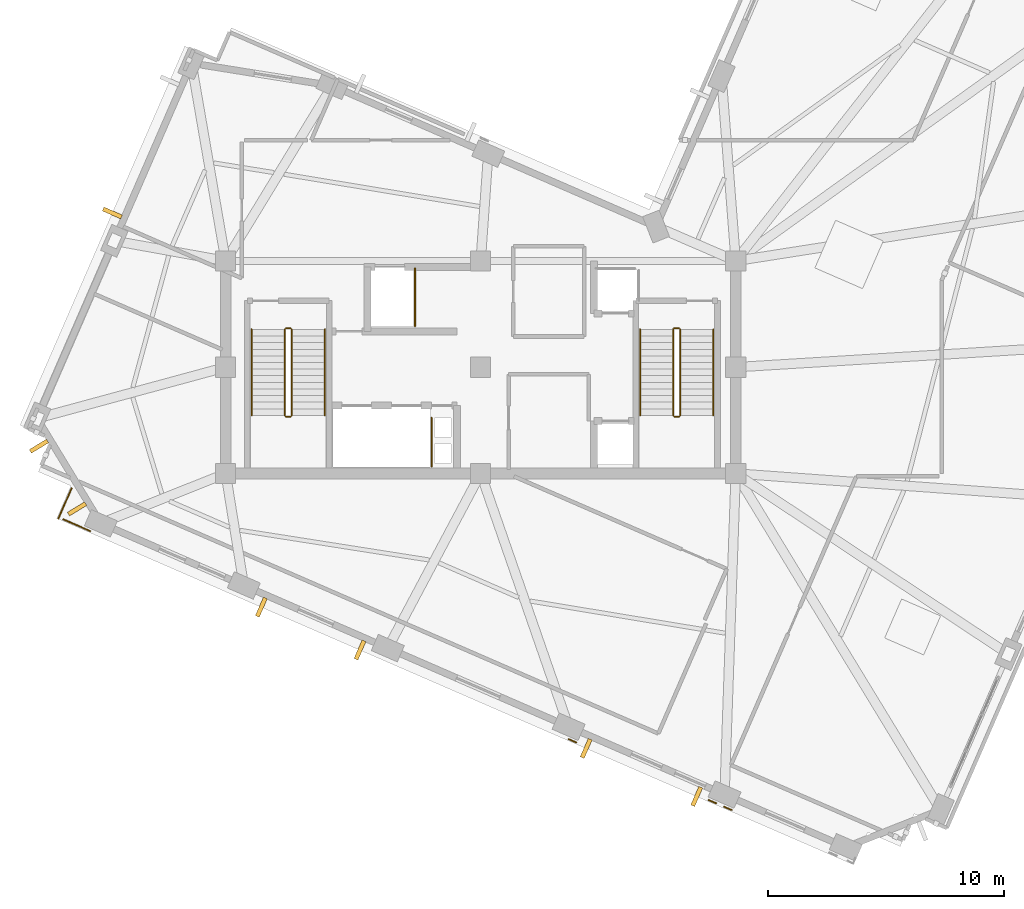
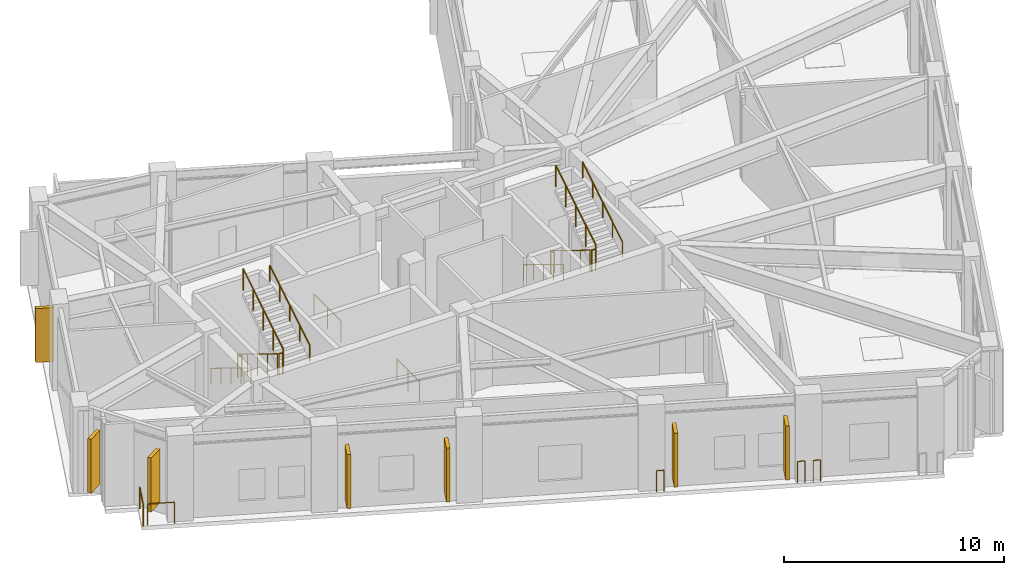
# One storey, part 8 of 11: 19 railings, 7 shading devices.
"""IFC4 building model written with IfcOpenShell, lengths in metres."""

import ifcopenshell
import ifcopenshell.guid

model = None  # the IFC model being written
_history = None  # IfcOwnerHistory: only IFC2X3 demands one
_inside = {}  # id of a spatial element -> (the spatial element, [elements in it])
_under = {}  # id of a project, library or spatial element -> (it, [spatial elements below it])
_declared = {}  # id of a project -> (the project, [libraries it declares])
_typed = {}  # id of a type object -> (the type object, [elements of that type])
_made_of = {}  # id of a material, layer set ... -> (it, [elements and type objects made of it])


def new_model(schema):
    """Start an empty IFC model of exactly this schema.

    Asked for "IFC4X3", IfcOpenShell would pick the latest addendum, in which some entities
    have other attributes; the version numbers below select the first issue.
    IFC2X3 requires an IfcOwnerHistory on every rooted entity: one is made here for all.
    """
    global model, _history
    if schema == "IFC4X3":
        model = ifcopenshell.file(schema_version=(4, 3, 0, 0))
    else:
        model = ifcopenshell.file(schema=schema)
    _inside.clear()
    _under.clear()
    _declared.clear()
    _typed.clear()
    _made_of.clear()
    _history = None
    if model.schema == "IFC2X3":
        org = make("IfcOrganization", Name="unknown")
        user = make(
            "IfcPersonAndOrganization",
            ThePerson=make("IfcPerson", FamilyName="unknown"),
            TheOrganization=org,
        )
        app = make(
            "IfcApplication",
            ApplicationDeveloper=org,
            Version="unknown",
            ApplicationFullName="unknown",
            ApplicationIdentifier="unknown",
        )
        _history = make(
            "IfcOwnerHistory",
            OwningUser=user,
            OwningApplication=app,
            ChangeAction="ADDED",
            CreationDate=0,
        )
    return model


def make(cls, **values):
    """One entity of the class cls with the attributes given. An attribute that is None is left unset."""
    return model.create_entity(
        cls, **{name: value for name, value in values.items() if value is not None}
    )


def rooted(cls, **values):
    """An entity with a GlobalId (a new one), such as an element, a storey or a relation."""
    return make(cls, GlobalId=ifcopenshell.guid.new(), OwnerHistory=_history, **values)


def si_unit(unit_type, name, prefix=None):
    """IfcSIUnit, for example si_unit("LENGTHUNIT", "METRE", prefix="MILLI")."""
    return make("IfcSIUnit", UnitType=unit_type, Prefix=prefix, Name=name)


def assignment(units):
    """IfcUnitAssignment: the units of a project."""
    return None if units is None else make("IfcUnitAssignment", Units=units)


def point(xyz):
    """IfcCartesianPoint."""
    return None if xyz is None else make("IfcCartesianPoint", Coordinates=xyz)


def direction(xyz):
    """IfcDirection."""
    return None if xyz is None else make("IfcDirection", DirectionRatios=xyz)


def frame(location, z_axis=None, x_axis=None):
    """IfcAxis2Placement3D, a coordinate frame: its origin and axes. An axis left out is left unset."""
    return make(
        "IfcAxis2Placement3D",
        Location=point(location),
        Axis=direction(z_axis),
        RefDirection=direction(x_axis),
    )


def frame_2d(location, x_axis=None):
    """IfcAxis2Placement2D, a coordinate frame in the plane: its origin and x axis."""
    return make(
        "IfcAxis2Placement2D", Location=point(location), RefDirection=direction(x_axis)
    )


def origin():
    """The frame at (0, 0, 0) with its axes left unset."""
    return frame((0.0, 0.0, 0.0))


def origin_2d():
    """The frame at (0, 0) in the plane with its x axis left unset."""
    return frame_2d((0.0, 0.0))


def place(relative_to, where):
    """IfcLocalPlacement: puts the frame where relative to a parent placement (None: the world)."""
    return make(
        "IfcLocalPlacement", PlacementRelTo=relative_to, RelativePlacement=where
    )


def context(
    kind, dimensions, precision=None, world=None, true_north=None, identifier=None
):
    """IfcGeometricRepresentationContext, for example the 3D "Model" context."""
    return make(
        "IfcGeometricRepresentationContext",
        ContextIdentifier=identifier,
        ContextType=kind,
        CoordinateSpaceDimension=dimensions,
        Precision=precision,
        WorldCoordinateSystem=world,
        TrueNorth=true_north,
    )


def subcontext(parent, identifier, kind, view, scale=None):
    """IfcGeometricRepresentationSubContext, for example "Body" below "Model"."""
    return make(
        "IfcGeometricRepresentationSubContext",
        ContextIdentifier=identifier,
        ContextType=kind,
        ParentContext=parent,
        TargetScale=scale,
        TargetView=view,
    )


def project(units=None, contexts=None):
    """IfcProject with its units and contexts."""
    return rooted(
        "IfcProject",
        Name="project",
        RepresentationContexts=contexts,
        UnitsInContext=assignment(units),
    )


def spatial(cls, under=None, at=None, **own):
    """A site, building, storey or space (cls), placed at a placement, below another one or the project."""
    s = rooted(cls, ObjectPlacement=at, **own)
    if under is not None:
        _under.setdefault(under.id(), (under, []))[1].append(s)
    return s


def profile(cls, at=None, kind="AREA", **sizes):
    """A parametric profile (cls). Its sizes go by their IFC names, for example OverallWidth=200.0."""
    return make(cls, ProfileType=kind, Position=at, **sizes)


def rectangle(**sizes):
    """IfcRectangleProfileDef."""
    return profile("IfcRectangleProfileDef", **sizes)


def circle(**sizes):
    """IfcCircleProfileDef."""
    return profile("IfcCircleProfileDef", **sizes)


def extrude(swept, where, along, depth):
    """IfcExtrudedAreaSolid: the profile swept, set in the frame where, extruded along a direction by depth."""
    return make(
        "IfcExtrudedAreaSolid",
        SweptArea=swept,
        Position=where,
        ExtrudedDirection=direction(along),
        Depth=depth,
    )


def shape(context_of_items, identifier, shape_type, items):
    """IfcShapeRepresentation: the items that make up one representation, for example the "Body"."""
    return make(
        "IfcShapeRepresentation",
        ContextOfItems=context_of_items,
        RepresentationIdentifier=identifier,
        RepresentationType=shape_type,
        Items=items,
    )


def material(Name=None, Category=None):
    """IfcMaterial."""
    return make("IfcMaterial", Name=Name, Category=Category)


def layer(
    of_material, thickness, ventilated=None, Name=None, Category=None, Priority=None
):
    """IfcMaterialLayer: one layer of a wall or slab, of a material (None: an air gap)."""
    return make(
        "IfcMaterialLayer",
        Material=of_material,
        LayerThickness=thickness,
        IsVentilated=ventilated,
        Name=Name,
        Category=Category,
        Priority=Priority,
    )


def layer_set(layers, Name=None):
    """IfcMaterialLayerSet."""
    return make("IfcMaterialLayerSet", MaterialLayers=layers, LayerSetName=Name)


def made_of(thing, what):
    """Note that an element or type object is made of a material, layer set ...; save() writes the relation."""
    if what is not None:
        _made_of.setdefault(what.id(), (what, []))[1].append(thing)
    return thing


def type_object(cls, material=None, **own):
    """A type object (cls), such as IfcWallType, which elements share."""
    return made_of(rooted(cls, **own), material)


def element(
    cls,
    number,
    at=None,
    inside=None,
    cuts=None,
    type_object=None,
    material=None,
    context=None,
    identifier="Body",
    shape_type=None,
    held_by="IfcProductDefinitionShape",
    body=None,
    shapes=None,
    **own,
):
    """One element of the class cls, such as IfcWall. Its Tag is "e" and its number.

    at: its placement. inside: the storey or other place that contains it. cuts: it is an
    opening in that element (IfcRelVoidsElement). A single representation is given by context,
    identifier, shape_type and body (its items); several are given by shapes. held_by: the class
    of the entity that holds the representations. save() writes the other relations.
    """
    e = rooted(cls, Tag="e%d" % number, ObjectPlacement=at, **own)
    if body is not None:
        shapes = [shape(context, identifier, shape_type, body)]
    if shapes is not None:
        e.Representation = make(held_by, Representations=shapes)
    if inside is not None:
        _inside.setdefault(inside.id(), (inside, []))[1].append(e)
    if cuts is not None:
        rooted(
            "IfcRelVoidsElement", RelatingBuildingElement=cuts, RelatedOpeningElement=e
        )
    if type_object is not None:
        _typed.setdefault(type_object.id(), (type_object, []))[1].append(e)
    return made_of(e, material)


def aggregate(whole, parts):
    """IfcRelAggregates: a whole, such as a stair, and the parts it consists of."""
    return rooted("IfcRelAggregates", RelatingObject=whole, RelatedObjects=parts)


def save(model, path):
    """Write the relations noted so far, then the file.

    IfcRelAggregates (storeys below a building ...), IfcRelContainedInSpatialStructure (elements
    in a storey), IfcRelDefinesByType, IfcRelAssociatesMaterial and IfcRelDeclares: one each for
    every whole, place, type object, material and project.
    """
    for whole, parts in _under.values():
        aggregate(whole, parts)
    for where, things in _inside.values():
        rooted(
            "IfcRelContainedInSpatialStructure",
            RelatedElements=things,
            RelatingStructure=where,
        )
    for kind, things in _typed.values():
        rooted("IfcRelDefinesByType", RelatedObjects=things, RelatingType=kind)
    for what, things in _made_of.values():
        rooted("IfcRelAssociatesMaterial", RelatedObjects=things, RelatingMaterial=what)
    for by, libraries in _declared.values():
        rooted("IfcRelDeclares", RelatingContext=by, RelatedDefinitions=libraries)
    model.write(path)


model = new_model("IFC4")

# Units and contexts
model_context = context("Model", 3, precision=1e-05, world=origin(), true_north=direction((0.0, 1.0)))
body_context = subcontext(model_context, "Body", "Model", "MODEL_VIEW")
ifc_project = project(units=[si_unit("LENGTHUNIT", "METRE"), si_unit("AREAUNIT", "SQUARE_METRE"), si_unit("VOLUMEUNIT", "CUBIC_METRE"), si_unit("PLANEANGLEUNIT", "RADIAN"), si_unit("MASSUNIT", "GRAM", prefix="KILO")], contexts=[model_context])

# Site, building, storey
site_placement = place(None, origin())
site = spatial("IfcSite", under=ifc_project, at=site_placement, CompositionType="ELEMENT")
building_placement = place(site_placement, origin())
building = spatial("IfcBuilding", under=site, at=building_placement, Name="Gaonmaruhae Medical Tower", CompositionType="ELEMENT")
storey_placement = place(building_placement, frame((0.0, 0.0, 328.60009765625)))
storey = spatial("IfcBuildingStorey", under=building, at=storey_placement, Name="L79", CompositionType="ELEMENT", Elevation=328.60009765625)

# Railings
ifc_material_1 = material(Name="Stainless steel 316L and laminated safety glass", Category="steel")
ifc_layer = layer(ifc_material_1, 0.080078125)
ifc_layer_set = layer_set([ifc_layer], Name="Stainless steel 316L and laminated safety glass")
railing_type_1 = type_object("IfcRailingType", Name="GD-120 Outdoor Terrace Safety Glass & Steel Balustrade", PredefinedType="BALUSTRADE", material=ifc_layer_set)
railing_1_placement = place(storey_placement, frame((7.47265625, 7.169189453125, 0.0)))
element("IfcRailing", 1, at=railing_1_placement, inside=storey, type_object=railing_type_1, Name="L79 Perimeter Slab Edge Safety Balustrade 03", PredefinedType="BALUSTRADE", context=body_context, shape_type="SweptSolid", body=[
    extrude(circle(Radius=0.02392578125, at=origin_2d()), frame((0.0, 0.0, 1.17578125), z_axis=(-0.398694070207, -0.917083986547, 0.0), x_axis=(0.917083986547, -0.398694070207, 0.0)), (0.0, 0.0, 1.0), 1.39306640625),
    extrude(circle(Radius=0.02099609375, at=origin_2d()), origin(), (0.0, 0.0, 1.0), 1.15185546875),
    extrude(circle(Radius=0.02099609375, at=origin_2d()), frame((-0.555419921875, -1.277587890625, 0.0)), (0.0, 0.0, 1.0), 1.15185546875),
])
railing_2_placement = place(storey_placement, frame((7.12890625, 5.85400390625, 0.0)))
element("IfcRailing", 2, at=railing_2_placement, inside=storey, type_object=railing_type_1, Name="L79 Perimeter Slab Edge Safety Balustrade 04", PredefinedType="BALUSTRADE", context=body_context, shape_type="SweptSolid", body=[
    extrude(circle(Radius=0.02392578125, at=origin_2d()), frame((0.0, 0.0, 1.17578125), z_axis=(0.917070056253, -0.398726111414, 0.0), x_axis=(0.398726111414, 0.917070056253, 0.0)), (0.0, 0.0, 1.0), 1.23681640625),
    extrude(circle(Radius=0.02099609375, at=origin_2d()), origin(), (0.0, 0.0, 1.0), 1.15185546875),
    extrude(circle(Radius=0.02099609375, at=origin_2d()), frame((1.13427734375, -0.4931640625, 0.0)), (0.0, 0.0, 1.0), 1.15185546875),
])
railing_3_placement = place(storey_placement, frame((28.52978515625, -3.451416015625, 0.0)))
element("IfcRailing", 3, at=railing_3_placement, inside=storey, type_object=railing_type_1, Name="L79 Perimeter Slab Edge Safety Balustrade 05", PredefinedType="BALUSTRADE", context=body_context, shape_type="SweptSolid", body=[
    extrude(circle(Radius=0.02392578125, at=origin_2d()), frame((0.0, 0.0, 1.17578125), z_axis=(0.917012919483, -0.398857500245, 0.0), x_axis=(0.398857500245, 0.917012919483, 0.0)), (0.0, 0.0, 1.0), 0.339599609375),
    extrude(circle(Radius=0.02099609375, at=origin_2d()), origin(), (0.0, 0.0, 1.0), 1.15185546875),
    extrude(circle(Radius=0.02099609375, at=origin_2d()), frame((0.3115234375, -0.135498046875, 0.0)), (0.0, 0.0, 1.0), 1.15185546875),
])
railing_4_placement = place(storey_placement, frame((34.456298828125, -6.0283203125, 0.0)))
element("IfcRailing", 4, at=railing_4_placement, inside=storey, type_object=railing_type_1, Name="L79 Perimeter Slab Edge Safety Balustrade 06", PredefinedType="BALUSTRADE", context=body_context, shape_type="SweptSolid", body=[
    extrude(circle(Radius=0.02392578125, at=origin_2d()), frame((0.0, 0.0, 1.17578125), z_axis=(0.916898476342, -0.399120513231, 0.0), x_axis=(0.399120513231, 0.916898476342, 0.0)), (0.0, 0.0, 1.0), 0.339599609375),
    extrude(circle(Radius=0.02099609375, at=origin_2d()), origin(), (0.0, 0.0, 1.0), 1.15185546875),
    extrude(circle(Radius=0.02099609375, at=origin_2d()), frame((0.311279296875, -0.135498046875, 0.0)), (0.0, 0.0, 1.0), 1.15185546875),
])
railing_5_placement = place(storey_placement, frame((35.11474609375, -6.314697265625, 0.0)))
element("IfcRailing", 5, at=railing_5_placement, inside=storey, type_object=railing_type_1, Name="L79 Perimeter Slab Edge Safety Balustrade 07", PredefinedType="BALUSTRADE", context=body_context, shape_type="SweptSolid", body=[
    extrude(circle(Radius=0.02392578125, at=origin_2d()), frame((0.0, 0.0, 1.17578125), z_axis=(0.917161522397, -0.398515673261, 0.0), x_axis=(0.398515673261, 0.917161522397, 0.0)), (0.0, 0.0, 1.0), 0.33935546875),
    extrude(circle(Radius=0.02099609375, at=origin_2d()), origin(), (0.0, 0.0, 1.0), 1.15185546875),
    extrude(circle(Radius=0.02099609375, at=origin_2d()), frame((0.311279296875, -0.13525390625, 0.0)), (0.0, 0.0, 1.0), 1.15185546875),
])
ifc_material_2 = material(Name="Stainless steel 304 handrail", Category="steel")
railing_type_2 = type_object("IfcRailingType", Name="HR-092 Continuous Stainless Steel Stair Handrail", PredefinedType="HANDRAIL", material=ifc_material_2)
railing_6_placement = place(storey_placement, frame((15.10009765625, 13.89990234375, 0.17138671875)))
element("IfcRailing", 6, at=railing_6_placement, inside=storey, type_object=railing_type_2, Name="L79 ST-01 stair handrail 1", PredefinedType="HANDRAIL", context=body_context, shape_type="SweptSolid", body=[
    extrude(circle(Radius=0.02392578125, at=origin_2d()), frame((0.0, 0.0, 0.8759765625), z_axis=(0.0, -0.852850264322, 0.5221555579), x_axis=(1.0, 0.0, 0.0)), (0.0, 0.0, 1.0), 4.267822265625),
    extrude(circle(Radius=0.02099609375, at=origin_2d()), origin(), (0.0, 0.0, 1.0), 0.851806640625),
    extrude(circle(Radius=0.02099609375, at=origin_2d()), frame((0.0, -0.909912109375, 0.55712890625)), (0.0, 0.0, 1.0), 0.851806640625),
    extrude(circle(Radius=0.02099609375, at=origin_2d()), frame((0.0, -1.81982421875, 1.1142578125)), (0.0, 0.0, 1.0), 0.851806640625),
    extrude(circle(Radius=0.02099609375, at=origin_2d()), frame((0.0, -2.72998046875, 1.67138671875)), (0.0, 0.0, 1.0), 0.851806640625),
    extrude(circle(Radius=0.02099609375, at=origin_2d()), frame((0.0, -3.639892578125, 2.228515625)), (0.0, 0.0, 1.0), 0.851806640625),
])
railing_7_placement = place(storey_placement, frame((18.199951171875, 10.260009765625, 2.5712890625)))
element("IfcRailing", 7, at=railing_7_placement, inside=storey, type_object=railing_type_2, Name="L79 ST-01 stair handrail 2", PredefinedType="HANDRAIL", context=body_context, shape_type="SweptSolid", body=[
    extrude(circle(Radius=0.02392578125, at=origin_2d()), frame((0.0, 0.0, 0.8759765625), z_axis=(0.0, 0.852850264322, 0.5221555579), x_axis=(-1.0, 0.0, 0.0)), (0.0, 0.0, 1.0), 4.267822265625),
    extrude(circle(Radius=0.02099609375, at=origin_2d()), origin(), (0.0, 0.0, 1.0), 0.851806640625),
    extrude(circle(Radius=0.02099609375, at=origin_2d()), frame((0.0, 0.909912109375, 0.55712890625)), (0.0, 0.0, 1.0), 0.851806640625),
    extrude(circle(Radius=0.02099609375, at=origin_2d()), frame((0.0, 1.81982421875, 1.1142578125)), (0.0, 0.0, 1.0), 0.851806640625),
    extrude(circle(Radius=0.02099609375, at=origin_2d()), frame((0.0, 2.72998046875, 1.67138671875)), (0.0, 0.0, 1.0), 0.851806640625),
    extrude(circle(Radius=0.02099609375, at=origin_2d()), frame((0.0, 3.639892578125, 2.228515625)), (0.0, 0.0, 1.0), 0.851806640625),
])
railing_8_placement = place(storey_placement, frame((31.550048828125, 13.89990234375, 0.17138671875)))
element("IfcRailing", 8, at=railing_8_placement, inside=storey, type_object=railing_type_2, Name="L79 ST-02 stair handrail 1", PredefinedType="HANDRAIL", context=body_context, shape_type="SweptSolid", body=[
    extrude(circle(Radius=0.02392578125, at=origin_2d()), frame((0.0, 0.0, 0.8759765625), z_axis=(0.0, -0.852850264322, 0.5221555579), x_axis=(1.0, 0.0, 0.0)), (0.0, 0.0, 1.0), 4.267822265625),
    extrude(circle(Radius=0.02099609375, at=origin_2d()), origin(), (0.0, 0.0, 1.0), 0.851806640625),
    extrude(circle(Radius=0.02099609375, at=origin_2d()), frame((0.0, -0.909912109375, 0.55712890625)), (0.0, 0.0, 1.0), 0.851806640625),
    extrude(circle(Radius=0.02099609375, at=origin_2d()), frame((0.0, -1.81982421875, 1.1142578125)), (0.0, 0.0, 1.0), 0.851806640625),
    extrude(circle(Radius=0.02099609375, at=origin_2d()), frame((0.0, -2.72998046875, 1.67138671875)), (0.0, 0.0, 1.0), 0.851806640625),
    extrude(circle(Radius=0.02099609375, at=origin_2d()), frame((0.0, -3.639892578125, 2.228515625)), (0.0, 0.0, 1.0), 0.851806640625),
])
railing_9_placement = place(storey_placement, frame((34.64990234375, 10.260009765625, 2.5712890625)))
element("IfcRailing", 9, at=railing_9_placement, inside=storey, type_object=railing_type_2, Name="L79 ST-02 stair handrail 2", PredefinedType="HANDRAIL", context=body_context, shape_type="SweptSolid", body=[
    extrude(circle(Radius=0.02392578125, at=origin_2d()), frame((0.0, 0.0, 0.8759765625), z_axis=(0.0, 0.852850264322, 0.5221555579), x_axis=(-1.0, 0.0, 0.0)), (0.0, 0.0, 1.0), 4.267822265625),
    extrude(circle(Radius=0.02099609375, at=origin_2d()), origin(), (0.0, 0.0, 1.0), 0.851806640625),
    extrude(circle(Radius=0.02099609375, at=origin_2d()), frame((0.0, 0.909912109375, 0.55712890625)), (0.0, 0.0, 1.0), 0.851806640625),
    extrude(circle(Radius=0.02099609375, at=origin_2d()), frame((0.0, 1.81982421875, 1.1142578125)), (0.0, 0.0, 1.0), 0.851806640625),
    extrude(circle(Radius=0.02099609375, at=origin_2d()), frame((0.0, 2.72998046875, 1.67138671875)), (0.0, 0.0, 1.0), 0.851806640625),
    extrude(circle(Radius=0.02099609375, at=origin_2d()), frame((0.0, 3.639892578125, 2.228515625)), (0.0, 0.0, 1.0), 0.851806640625),
])

# Shading devices
ifc_material_3 = material(Name="Pigmented coral precast concrete C45/55", Category="concrete")
shading_device_type = type_object("IfcShadingDeviceType", Name="SD-FIN1 Tower Vertical Coral Precast Shading Fin", PredefinedType="USERDEFINED", material=ifc_material_3)
for number, where, z_axis, x_axis, name in (
    (10, (9.201416015625, 18.831298828125, 0.532470703125), (0.0, 0.0, 1.0), (0.398749068925, 0.917060074385, 0.0), "L79 Vertical Coral Precast Shading Fin N01"),
    (11, (7.705322265625, 6.2998046875, 0.532470703125), (0.0, 0.0, 1.0), (-0.519250650088, 0.854621999707, 0.0), "L79 Vertical Coral Precast Shading Fin N03"),
    (12, (6.091796875, 8.955322265625, 0.532470703125), (0.0, 0.0, 1.0), (-0.519250650088, 0.854621999707, 0.0), "L79 Vertical Coral Precast Shading Fin N03B"),
    (13, (19.68798828125, 0.322265625, 0.532470703125), (0.0, 0.0, 1.0), (-0.917060074385, 0.398749068925, 0.0), "L79 Vertical Coral Precast Shading Fin W02"),
    (14, (15.510986328125, 2.138427734375, 0.532470703125), (0.0, 0.0, 1.0), (-0.917060074385, 0.398749068925, 0.0), "L79 Vertical Coral Precast Shading Fin W02B"),
    (15, (33.948486328125, -5.87841796875, 0.532470703125), (0.0, 0.0, 1.0), (-0.917060074385, 0.398749068925, 0.0), "L79 Vertical Coral Precast Shading Fin W04"),
    (16, (29.266845703125, -3.8427734375, 0.532470703125), (0.0, 0.0, 1.0), (-0.917060074385, 0.398749068925, 0.0), "L79 Vertical Coral Precast Shading Fin W04B"),
):
    element("IfcShadingDevice", number, at=place(storey_placement, frame(where, z_axis=z_axis, x_axis=x_axis)), inside=storey, type_object=shading_device_type, Name=name, ObjectType="FIN", PredefinedType="USERDEFINED", context=body_context, shape_type="SweptSolid", body=[
        extrude(rectangle(XDim=0.179931640625, YDim=0.85009765625, at=origin_2d()), origin(), (0.0, 0.0, 1.0), 3.0),
    ])

# Railings
ifc_material_4 = material(Name="Stainless steel 304 balustrade", Category="steel")
railing_type_3 = type_object("IfcRailingType", Name="SG-112 Stair Well & Ramp Void Safety Balustrade", PredefinedType="BALUSTRADE", material=ifc_material_4)
railing_10_placement = place(storey_placement, frame((16.5, 13.89990234375, 0.17138671875)))
element("IfcRailing", 17, at=railing_10_placement, inside=storey, type_object=railing_type_3, Name="L79 ST-01 stair guard 1", PredefinedType="BALUSTRADE", context=body_context, shape_type="SweptSolid", body=[
    extrude(circle(Radius=0.02392578125, at=origin_2d()), frame((0.0, 0.0, 1.17578125), z_axis=(0.0, -0.852850264322, 0.5221555579), x_axis=(1.0, 0.0, 0.0)), (0.0, 0.0, 1.0), 4.267822265625),
    extrude(circle(Radius=0.02099609375, at=origin_2d()), origin(), (0.0, 0.0, 1.0), 1.15185546875),
    extrude(circle(Radius=0.02099609375, at=origin_2d()), frame((0.0, -0.909912109375, 0.55712890625)), (0.0, 0.0, 1.0), 1.15185546875),
    extrude(circle(Radius=0.02099609375, at=origin_2d()), frame((0.0, -1.81982421875, 1.1142578125)), (0.0, 0.0, 1.0), 1.15185546875),
    extrude(circle(Radius=0.02099609375, at=origin_2d()), frame((0.0, -2.72998046875, 1.67138671875)), (0.0, 0.0, 1.0), 1.15185546875),
    extrude(circle(Radius=0.02099609375, at=origin_2d()), frame((0.0, -3.639892578125, 2.228515625)), (0.0, 0.0, 1.0), 1.15185546875),
])
railing_11_placement = place(storey_placement, frame((16.550048828125, 10.2099609375, 2.39990234375)))
element("IfcRailing", 18, at=railing_11_placement, inside=storey, type_object=railing_type_3, Name="L79 ST-01 stair guard 2", PredefinedType="BALUSTRADE", context=body_context, shape_type="SweptSolid", body=[
    extrude(circle(Radius=0.02392578125, at=origin_2d()), frame((0.0, 0.0, 1.17578125), z_axis=(1.0, 0.0, 0.0), x_axis=(0.0, 1.0, 0.0)), (0.0, 0.0, 1.0), 0.199951171875),
    extrude(circle(Radius=0.02099609375, at=origin_2d()), origin(), (0.0, 0.0, 1.0), 1.15185546875),
    extrude(circle(Radius=0.02099609375, at=origin_2d()), frame((0.199951171875, 0.0, 0.0)), (0.0, 0.0, 1.0), 1.15185546875),
])
railing_12_placement = place(storey_placement, frame((16.800048828125, 10.260009765625, 2.5712890625)))
element("IfcRailing", 19, at=railing_12_placement, inside=storey, type_object=railing_type_3, Name="L79 ST-01 stair guard 3", PredefinedType="BALUSTRADE", context=body_context, shape_type="SweptSolid", body=[
    extrude(circle(Radius=0.02392578125, at=origin_2d()), frame((0.0, 0.0, 1.17578125), z_axis=(0.0, 0.852850264322, 0.5221555579), x_axis=(-1.0, 0.0, 0.0)), (0.0, 0.0, 1.0), 4.267822265625),
    extrude(circle(Radius=0.02099609375, at=origin_2d()), origin(), (0.0, 0.0, 1.0), 1.15185546875),
    extrude(circle(Radius=0.02099609375, at=origin_2d()), frame((0.0, 0.909912109375, 0.55712890625)), (0.0, 0.0, 1.0), 1.15185546875),
    extrude(circle(Radius=0.02099609375, at=origin_2d()), frame((0.0, 1.81982421875, 1.1142578125)), (0.0, 0.0, 1.0), 1.15185546875),
    extrude(circle(Radius=0.02099609375, at=origin_2d()), frame((0.0, 2.72998046875, 1.67138671875)), (0.0, 0.0, 1.0), 1.15185546875),
    extrude(circle(Radius=0.02099609375, at=origin_2d()), frame((0.0, 3.639892578125, 2.228515625)), (0.0, 0.0, 1.0), 1.15185546875),
])
railing_13_placement = place(storey_placement, frame((16.550048828125, 13.949951171875, 0.0)))
element("IfcRailing", 20, at=railing_13_placement, inside=storey, type_object=railing_type_3, Name="L79 ST-01 stair guard 4", PredefinedType="BALUSTRADE", context=body_context, shape_type="SweptSolid", body=[
    extrude(circle(Radius=0.02392578125, at=origin_2d()), frame((0.0, 0.0, 1.17578125), z_axis=(1.0, 0.0, 0.0), x_axis=(0.0, 1.0, 0.0)), (0.0, 0.0, 1.0), 0.199951171875),
    extrude(circle(Radius=0.02099609375, at=origin_2d()), origin(), (0.0, 0.0, 1.0), 1.15185546875),
    extrude(circle(Radius=0.02099609375, at=origin_2d()), frame((0.199951171875, 0.0, 0.0)), (0.0, 0.0, 1.0), 1.15185546875),
])
railing_14_placement = place(storey_placement, frame((32.949951171875, 13.89990234375, 0.17138671875)))
element("IfcRailing", 21, at=railing_14_placement, inside=storey, type_object=railing_type_3, Name="L79 ST-02 stair guard 1", PredefinedType="BALUSTRADE", context=body_context, shape_type="SweptSolid", body=[
    extrude(circle(Radius=0.02392578125, at=origin_2d()), frame((0.0, 0.0, 1.17578125), z_axis=(0.0, -0.852850264322, 0.5221555579), x_axis=(1.0, 0.0, 0.0)), (0.0, 0.0, 1.0), 4.267822265625),
    extrude(circle(Radius=0.02099609375, at=origin_2d()), origin(), (0.0, 0.0, 1.0), 1.15185546875),
    extrude(circle(Radius=0.02099609375, at=origin_2d()), frame((0.0, -0.909912109375, 0.55712890625)), (0.0, 0.0, 1.0), 1.15185546875),
    extrude(circle(Radius=0.02099609375, at=origin_2d()), frame((0.0, -1.81982421875, 1.1142578125)), (0.0, 0.0, 1.0), 1.15185546875),
    extrude(circle(Radius=0.02099609375, at=origin_2d()), frame((0.0, -2.72998046875, 1.67138671875)), (0.0, 0.0, 1.0), 1.15185546875),
    extrude(circle(Radius=0.02099609375, at=origin_2d()), frame((0.0, -3.639892578125, 2.228515625)), (0.0, 0.0, 1.0), 1.15185546875),
])
railing_15_placement = place(storey_placement, frame((33.0, 10.2099609375, 2.39990234375)))
element("IfcRailing", 22, at=railing_15_placement, inside=storey, type_object=railing_type_3, Name="L79 ST-02 stair guard 2", PredefinedType="BALUSTRADE", context=body_context, shape_type="SweptSolid", body=[
    extrude(circle(Radius=0.02392578125, at=origin_2d()), frame((0.0, 0.0, 1.17578125), z_axis=(1.0, 0.0, 0.0), x_axis=(0.0, 1.0, 0.0)), (0.0, 0.0, 1.0), 0.199951171875),
    extrude(circle(Radius=0.02099609375, at=origin_2d()), origin(), (0.0, 0.0, 1.0), 1.15185546875),
    extrude(circle(Radius=0.02099609375, at=origin_2d()), frame((0.199951171875, 0.0, 0.0)), (0.0, 0.0, 1.0), 1.15185546875),
])
railing_16_placement = place(storey_placement, frame((33.25, 10.260009765625, 2.5712890625)))
element("IfcRailing", 23, at=railing_16_placement, inside=storey, type_object=railing_type_3, Name="L79 ST-02 stair guard 3", PredefinedType="BALUSTRADE", context=body_context, shape_type="SweptSolid", body=[
    extrude(circle(Radius=0.02392578125, at=origin_2d()), frame((0.0, 0.0, 1.17578125), z_axis=(0.0, 0.852850264322, 0.5221555579), x_axis=(-1.0, 0.0, 0.0)), (0.0, 0.0, 1.0), 4.267822265625),
    extrude(circle(Radius=0.02099609375, at=origin_2d()), origin(), (0.0, 0.0, 1.0), 1.15185546875),
    extrude(circle(Radius=0.02099609375, at=origin_2d()), frame((0.0, 0.909912109375, 0.55712890625)), (0.0, 0.0, 1.0), 1.15185546875),
    extrude(circle(Radius=0.02099609375, at=origin_2d()), frame((0.0, 1.81982421875, 1.1142578125)), (0.0, 0.0, 1.0), 1.15185546875),
    extrude(circle(Radius=0.02099609375, at=origin_2d()), frame((0.0, 2.72998046875, 1.67138671875)), (0.0, 0.0, 1.0), 1.15185546875),
    extrude(circle(Radius=0.02099609375, at=origin_2d()), frame((0.0, 3.639892578125, 2.228515625)), (0.0, 0.0, 1.0), 1.15185546875),
])
railing_17_placement = place(storey_placement, frame((33.0, 13.949951171875, 0.0)))
element("IfcRailing", 24, at=railing_17_placement, inside=storey, type_object=railing_type_3, Name="L79 ST-02 stair guard 4", PredefinedType="BALUSTRADE", context=body_context, shape_type="SweptSolid", body=[
    extrude(circle(Radius=0.02392578125, at=origin_2d()), frame((0.0, 0.0, 1.17578125), z_axis=(1.0, 0.0, 0.0), x_axis=(0.0, 1.0, 0.0)), (0.0, 0.0, 1.0), 0.199951171875),
    extrude(circle(Radius=0.02099609375, at=origin_2d()), origin(), (0.0, 0.0, 1.0), 1.15185546875),
    extrude(circle(Radius=0.02099609375, at=origin_2d()), frame((0.199951171875, 0.0, 0.0)), (0.0, 0.0, 1.0), 1.15185546875),
])
railing_18_placement = place(storey_placement, frame((22.719970703125, 10.159912109375, 0.0)))
element("IfcRailing", 25, at=railing_18_placement, inside=storey, type_object=railing_type_3, Name="L79 Shaft Edge Safety Guard 10", PredefinedType="BALUSTRADE", context=body_context, shape_type="SweptSolid", body=[
    extrude(circle(Radius=0.02392578125, at=origin_2d()), frame((0.0, 0.0, 1.17578125), z_axis=(0.0, -1.0, 0.0), x_axis=(1.0, 0.0, 0.0)), (0.0, 0.0, 1.0), 2.06494140625),
    extrude(circle(Radius=0.02099609375, at=origin_2d()), origin(), (0.0, 0.0, 1.0), 1.15185546875),
    extrude(circle(Radius=0.02099609375, at=origin_2d()), frame((0.0, -1.032470703125, 0.0)), (0.0, 0.0, 1.0), 1.15185546875),
    extrude(circle(Radius=0.02099609375, at=origin_2d()), frame((0.0, -2.06494140625, 0.0)), (0.0, 0.0, 1.0), 1.15185546875),
])
railing_19_placement = place(storey_placement, frame((22.02001953125, 16.485107421875, 0.0)))
element("IfcRailing", 26, at=railing_19_placement, inside=storey, type_object=railing_type_3, Name="L79 Shaft Edge Safety Guard 11", PredefinedType="BALUSTRADE", context=body_context, shape_type="SweptSolid", body=[
    extrude(circle(Radius=0.02392578125, at=origin_2d()), frame((0.0, 0.0, 1.17578125), z_axis=(0.0, -1.0, 0.0), x_axis=(1.0, 0.0, 0.0)), (0.0, 0.0, 1.0), 2.440185546875),
    extrude(circle(Radius=0.02099609375, at=origin_2d()), origin(), (0.0, 0.0, 1.0), 1.15185546875),
    extrude(circle(Radius=0.02099609375, at=origin_2d()), frame((0.0, -1.22021484375, 0.0)), (0.0, 0.0, 1.0), 1.15185546875),
    extrude(circle(Radius=0.02099609375, at=origin_2d()), frame((0.0, -2.440185546875, 0.0)), (0.0, 0.0, 1.0), 1.15185546875),
])

save(model, "model.ifc")
